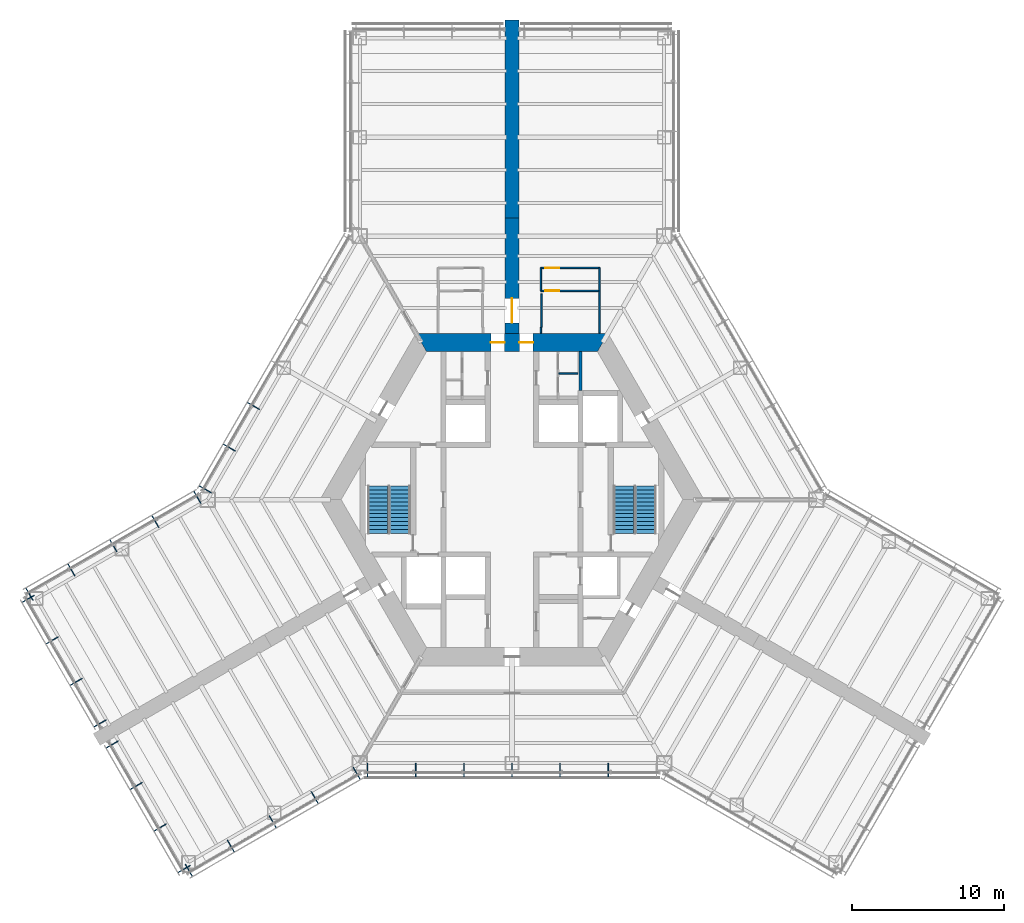
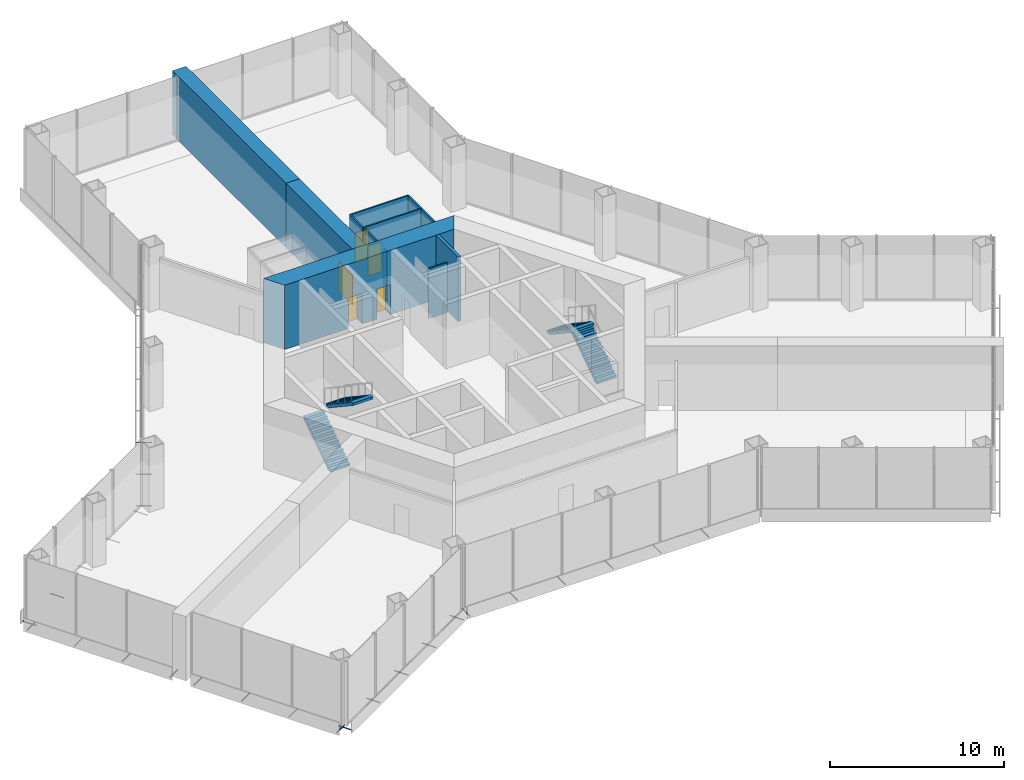
# One storey, part 11 of 13: 27 discrete accessories, 12 walls, 5 doors, 4 stair flights, 5 openings, 2 elements without a shape of their own.
"""IFC4 building model written with IfcOpenShell, lengths in metres."""

from ifc_helpers import new_model, si_unit, direction, frame, frame_2d, origin, origin_2d, place, context, subcontext, project, spatial, polyline, rectangle, hollow_circle, outline, extrude, material, layer, layer_set, material_profile, profile_set, type_object, element, fill, aggregate, save


model = new_model("IFC4")

# Units and contexts
model_context = context("Model", 3, precision=1e-05, world=origin(), true_north=direction((0.0, 1.0)))
body_context = subcontext(model_context, "Body", "Model", "MODEL_VIEW")
ifc_project = project(units=[si_unit("LENGTHUNIT", "METRE"), si_unit("AREAUNIT", "SQUARE_METRE"), si_unit("VOLUMEUNIT", "CUBIC_METRE"), si_unit("PLANEANGLEUNIT", "RADIAN"), si_unit("MASSUNIT", "GRAM", prefix="KILO")], contexts=[model_context])

# Site, building, storey
site_placement = place(None, origin())
site = spatial("IfcSite", under=ifc_project, at=site_placement, CompositionType="ELEMENT")
building_placement = place(site_placement, origin())
building = spatial("IfcBuilding", under=site, at=building_placement, Name="Kasaneha Research Tower", CompositionType="ELEMENT")
storey_placement = place(building_placement, frame((0.0, 0.0, 5.5)))
storey = spatial("IfcBuildingStorey", under=building, at=storey_placement, Name="L02", CompositionType="ELEMENT", Elevation=5.5)

# Wall, openings, doors
ifc_material_1 = material(Name="Concrete Fc100", Category="concrete")
ifc_layer_1 = layer(ifc_material_1, 1.199951171875)
ifc_layer_set_1 = layer_set([ifc_layer_1], Name="Core wall 1200 Fc100")
wall_type_1 = type_object("IfcWallType", Name="Core wall 1200 Fc100", PredefinedType="SHEAR", material=ifc_layer_set_1)
wall_1_placement = place(storey_placement, frame((5.961181640625, 10.324951171875, 0.0), z_axis=(0.0, 0.0, 1.0), x_axis=(-1.0, 0.0, 0.0)))
wall_1 = element("IfcWall", 1, at=wall_1_placement, inside=storey, type_object=wall_type_1, Name="Core wall 090 L02", PredefinedType="SHEAR", context=body_context, shape_type="SweptSolid", body=[
    extrude(outline(polyline([(-0.346435546875, -0.60009765625), (4.57373046875, -0.60009765625), (5.4736328125, -0.60009765625), (6.44873046875, -0.60009765625), (7.3486328125, -0.60009765625), (12.268798828125, -0.60009765625), (11.575927734375, 0.60009765625), (7.3486328125, 0.60009765625), (6.44873046875, 0.60009765625), (5.4736328125, 0.60009765625), (4.57373046875, 0.60009765625), (0.346435546875, 0.60009765625), (-0.346435546875, -0.60009765625)])), origin(), (0.0, 0.0, 1.0), 4.5),
])
opening_1_placement = place(wall_1_placement, frame((6.44873046875, 0.0, 0.0)))
opening_1 = element("IfcOpeningElement", 2, at=opening_1_placement, cuts=wall_1, Name="Opening L02-D01", PredefinedType="OPENING", context=body_context, shape_type="SweptSolid", body=[
    extrude(rectangle(XDim=0.89990234375, YDim=2.10009765625, at=frame_2d((0.449951171875, 1.050048828125))), frame((0.0, 0.60986328125, 0.0), z_axis=(0.0, -1.0, 0.0), x_axis=(1.0, 0.0, 0.0)), (0.0, 0.0, 1.0), 1.219970703125),
])
opening_2_placement = place(wall_1_placement, frame((4.57373046875, 0.0, 0.0)))
opening_2 = element("IfcOpeningElement", 3, at=opening_2_placement, cuts=wall_1, Name="Opening L02-D02", PredefinedType="OPENING", context=body_context, shape_type="SweptSolid", body=[
    extrude(rectangle(XDim=0.89990234375, YDim=2.10009765625, at=frame_2d((0.449951171875, 1.050048828125))), frame((0.0, 0.60986328125, 0.0), z_axis=(0.0, -1.0, 0.0), x_axis=(1.0, 0.0, 0.0)), (0.0, 0.0, 1.0), 1.219970703125),
])
ifc_material_2 = material(Name="Steel", Category="steel")
door_type_1 = type_object("IfcDoorType", Name="Toilet door FD20 900x2100", OperationType="NOTDEFINED", PredefinedType="DOOR", material=ifc_material_2)
door_1_placement = place(opening_1_placement, origin())
door_1 = element("IfcDoor", 4, at=door_1_placement, inside=storey, type_object=door_type_1, Name="Core door north 1 L02-D01", OperationType="SINGLE_SWING_RIGHT", OverallHeight=2.10009765625, OverallWidth=0.89990234375, PredefinedType="DOOR", context=body_context, shape_type="SweptSolid", body=[
    extrude(rectangle(XDim=0.89990234375, YDim=2.10009765625, at=frame_2d((0.449951171875, 1.050048828125))), frame((0.0, 0.02490234375, 0.0), z_axis=(0.0, -1.0, 0.0), x_axis=(1.0, 0.0, 0.0)), (0.0, 0.0, 1.0), 0.050048828125),
])
fill(opening_1, door_1)
door_2_placement = place(opening_2_placement, origin())
door_2 = element("IfcDoor", 5, at=door_2_placement, inside=storey, type_object=door_type_1, Name="Core door north 2 L02-D02", OperationType="SINGLE_SWING_LEFT", OverallHeight=2.10009765625, OverallWidth=0.89990234375, PredefinedType="DOOR", context=body_context, shape_type="SweptSolid", body=[
    extrude(rectangle(XDim=0.89990234375, YDim=2.10009765625, at=frame_2d((0.449951171875, 1.050048828125))), frame((0.0, 0.02490234375, 0.0), z_axis=(0.0, -1.0, 0.0), x_axis=(1.0, 0.0, 0.0)), (0.0, 0.0, 1.0), 0.050048828125),
])
fill(opening_2, door_2)

# Wall
ifc_material_3 = material(Name="Gypsum board on steel studs, one layer each side", Category="steel")
ifc_layer_2 = layer(ifc_material_3, 0.10009765625)
ifc_layer_set_2 = layer_set([ifc_layer_2], Name="Office partition 100")
wall_type_2 = type_object("IfcWallType", Name="Office partition 100", PredefinedType="PARTITIONING", material=ifc_layer_set_2)
wall_2_placement = place(storey_placement, frame((3.074951171875, 8.304931640625, 0.0), z_axis=(0.0, 0.0, 1.0), x_axis=(1.0, 0.0, 0.0)))
element("IfcWall", 6, at=wall_2_placement, inside=storey, type_object=wall_type_2, Name="Office partition TBF2 L02", PredefinedType="PARTITIONING", context=body_context, shape_type="SweptSolid", body=[
    extrude(rectangle(XDim=1.25, YDim=0.10009765625, at=frame_2d((0.625, 0.0))), origin(), (0.0, 0.0, 1.0), 3.5),
])

# Wall, opening, door
wall_3_placement = place(storey_placement, frame((1.89990234375, 13.719970703125, 0.0), z_axis=(0.0, 0.0, 1.0), x_axis=(1.0, 0.0, 0.0)))
wall_3 = element("IfcWall", 7, at=wall_3_placement, inside=storey, type_object=wall_type_2, Name="Office partition FAE01 L02", PredefinedType="PARTITIONING", context=body_context, shape_type="SweptSolid", body=[
    extrude(rectangle(XDim=3.857177734375, YDim=0.10009765625, at=frame_2d((1.9287109375, 0.0))), origin(), (0.0, 0.0, 1.0), 3.5),
])
opening_3_placement = place(wall_3_placement, frame((0.300048828125, 0.0, 0.0)))
opening_3 = element("IfcOpeningElement", 8, at=opening_3_placement, cuts=wall_3, Name="Opening L02-D28", PredefinedType="OPENING", context=body_context, shape_type="SweptSolid", body=[
    extrude(rectangle(XDim=0.89990234375, YDim=2.10009765625, at=frame_2d((0.449951171875, 1.050048828125))), frame((0.0, 0.06005859375, 0.0), z_axis=(0.0, -1.0, 0.0), x_axis=(1.0, 0.0, 0.0)), (0.0, 0.0, 1.0), 0.1201171875),
])
ifc_material_4 = material(Name="Steel", Category="steel")
door_type_2 = type_object("IfcDoorType", Name="Toilet lobby door FD30 900x2100", OperationType="NOTDEFINED", PredefinedType="DOOR", material=ifc_material_4)
door_3_placement = place(opening_3_placement, origin())
door_3 = element("IfcDoor", 9, at=door_3_placement, inside=storey, type_object=door_type_2, Name="Women's WC door L02-D28", OperationType="SINGLE_SWING_LEFT", OverallHeight=2.10009765625, OverallWidth=0.89990234375, PredefinedType="DOOR", context=body_context, shape_type="SweptSolid", body=[
    extrude(rectangle(XDim=0.89990234375, YDim=2.10009765625, at=frame_2d((0.449951171875, 1.050048828125))), frame((0.0, 0.02490234375, 0.0), z_axis=(0.0, -1.0, 0.0), x_axis=(1.0, 0.0, 0.0)), (0.0, 0.0, 1.0), 0.050048828125),
])
fill(opening_3, door_3)

# Walls
wall_4_placement = place(storey_placement, frame((1.89990234375, 10.945068359375, 0.0), z_axis=(0.0, 0.0, 1.0), x_axis=(0.0, 1.0, 0.0)))
element("IfcWall", 10, at=wall_4_placement, inside=storey, type_object=wall_type_2, Name="Office partition FAE02 L02", PredefinedType="PARTITIONING", context=body_context, shape_type="SweptSolid", body=[
    extrude(rectangle(XDim=0.3798828125, YDim=0.10009765625, at=frame_2d((0.18994140625, 0.0))), origin(), (0.0, 0.0, 1.0), 3.5),
])
wall_5_placement = place(storey_placement, frame((1.949951171875, 11.324951171875, 0.0), z_axis=(0.0, 0.0, 1.0), x_axis=(0.0, 1.0, 0.0)))
element("IfcWall", 11, at=wall_5_placement, inside=storey, type_object=wall_type_2, Name="Office partition FAE03 L02", PredefinedType="PARTITIONING", context=body_context, shape_type="SweptSolid", body=[
    extrude(rectangle(XDim=2.199951171875, YDim=0.10009765625, at=frame_2d((1.10009765625, 0.0))), origin(), (0.0, 0.0, 1.0), 3.5),
])
wall_6_placement = place(storey_placement, frame((5.752197265625, 13.72509765625, 0.0), z_axis=(0.0, 0.0, 1.0), x_axis=(0.001756386155, -0.999998457553, 0.0)))
element("IfcWall", 12, at=wall_6_placement, inside=storey, type_object=wall_type_2, Name="Office partition FAE04 L02", PredefinedType="PARTITIONING", context=body_context, shape_type="SweptSolid", body=[
    extrude(rectangle(XDim=2.780029296875, YDim=0.10009765625, at=frame_2d((1.39013671875, 0.0))), origin(), (0.0, 0.0, 1.0), 3.5),
])

# Wall, opening, door
wall_7_placement = place(storey_placement, frame((1.89990234375, 15.22509765625, 0.0), z_axis=(0.0, 0.0, 1.0), x_axis=(1.0, 0.0, 0.0)))
wall_7 = element("IfcWall", 13, at=wall_7_placement, inside=storey, type_object=wall_type_2, Name="Office partition FAE05 L02", PredefinedType="PARTITIONING", context=body_context, shape_type="SweptSolid", body=[
    extrude(rectangle(XDim=3.857177734375, YDim=0.10009765625, at=frame_2d((1.9287109375, 0.0))), origin(), (0.0, 0.0, 1.0), 3.5),
])
opening_4_placement = place(wall_7_placement, frame((0.300048828125, 0.0, 0.0)))
opening_4 = element("IfcOpeningElement", 14, at=opening_4_placement, cuts=wall_7, Name="Opening L02-D29", PredefinedType="OPENING", context=body_context, shape_type="SweptSolid", body=[
    extrude(rectangle(XDim=0.89990234375, YDim=2.10009765625, at=frame_2d((0.449951171875, 1.050048828125))), frame((0.0, 0.06005859375, 0.0), z_axis=(0.0, -1.0, 0.0), x_axis=(1.0, 0.0, 0.0)), (0.0, 0.0, 1.0), 0.1201171875),
])
door_4_placement = place(opening_4_placement, origin())
door_4 = element("IfcDoor", 15, at=door_4_placement, inside=storey, type_object=door_type_2, Name="Toilet lobby door L02-D29", OperationType="SINGLE_SWING_LEFT", OverallHeight=2.10009765625, OverallWidth=0.89990234375, PredefinedType="DOOR", context=body_context, shape_type="SweptSolid", body=[
    extrude(rectangle(XDim=0.89990234375, YDim=2.10009765625, at=frame_2d((0.449951171875, 1.050048828125))), frame((0.0, 0.02490234375, 0.0), z_axis=(0.0, -1.0, 0.0), x_axis=(1.0, 0.0, 0.0)), (0.0, 0.0, 1.0), 0.050048828125),
])
fill(opening_4, door_4)

# Walls
for number, where, z_axis, x_axis, name in (
    (16, (1.904541015625, 13.72509765625, 0.0), (0.0, 0.0, 1.0), (-0.00309243313, 0.999995218417, 0.0), "Office partition FAE06 L02"),
    (17, (5.757080078125, 15.22509765625, 0.0), (0.0, 0.0, 1.0), (-0.003255191087, -0.999994701851, 0.0), "Office partition FAE07 L02"),
):
    element("IfcWall", number, at=place(storey_placement, frame(where, z_axis=z_axis, x_axis=x_axis)), inside=storey, type_object=wall_type_2, Name=name, PredefinedType="PARTITIONING", context=body_context, shape_type="SweptSolid", body=[
        extrude(rectangle(XDim=1.5, YDim=0.10009765625, at=frame_2d((0.75, 0.0))), origin(), (0.0, 0.0, 1.0), 3.5),
    ])
ifc_material_5 = material(Name="Concrete block", Category="concrete")
ifc_layer_3 = layer(ifc_material_5, 0.199951171875)
ifc_layer_set_3 = layer_set([ifc_layer_3], Name="Riser enclosure wall 200")
wall_type_3 = type_object("IfcWallType", Name="Riser enclosure wall 200", PredefinedType="STANDARD", material=ifc_layer_set_3)
wall_8_placement = place(storey_placement, frame((4.5, 7.175048828125, 0.0), z_axis=(0.0, 0.0, 1.0), x_axis=(0.0, 1.0, 0.0)))
element("IfcWall", 18, at=wall_8_placement, inside=storey, type_object=wall_type_3, Name="Riser enclosure wall L02", PredefinedType="STANDARD", context=body_context, shape_type="SweptSolid", body=[
    extrude(rectangle(XDim=2.550048828125, YDim=0.199951171875, at=frame_2d((1.27490234375, 0.0))), origin(), (0.0, 0.0, 1.0), 4.5),
])

# Wall, opening, door
ifc_material_6 = material(Name="Concrete Fc100", Category="concrete")
ifc_layer_4 = layer(ifc_material_6, 0.89990234375)
ifc_layer_set_4 = layer_set([ifc_layer_4], Name="Spine wall 900 Fc100")
wall_type_4 = type_object("IfcWallType", Name="Spine wall 900 Fc100", PredefinedType="SHEAR", material=ifc_layer_set_4)
wall_9_placement = place(storey_placement, frame((0.0, 10.925048828125, 0.0), z_axis=(0.0, 0.0, 1.0), x_axis=(0.0, 1.0, 0.0)))
wall_9 = element("IfcWall", 19, at=wall_9_placement, inside=storey, type_object=wall_type_4, Name="Spine wall A L02", PredefinedType="SHEAR", context=body_context, shape_type="SweptSolid", body=[
    extrude(rectangle(XDim=7.595458984375, YDim=0.89990234375, at=frame_2d((3.7978515625, 0.0))), origin(), (0.0, 0.0, 1.0), 4.5),
])
opening_5_placement = place(wall_9_placement, frame((0.699951171875, 0.0, 0.0)))
opening_5 = element("IfcOpeningElement", 20, at=opening_5_placement, cuts=wall_9, Name="Opening L02-D17", PredefinedType="OPENING", context=body_context, shape_type="SweptSolid", body=[
    extrude(rectangle(XDim=1.60009765625, YDim=2.10009765625, at=frame_2d((0.800048828125, 1.050048828125))), frame((0.0, 0.4599609375, 0.0), z_axis=(0.0, -1.0, 0.0), x_axis=(1.0, 0.0, 0.0)), (0.0, 0.0, 1.0), 0.919921875),
])
ifc_material_7 = material(Name="Steel", Category="steel")
door_type_3 = type_object("IfcDoorType", Name="Lecture hall door FD60 1600x2100", OperationType="DOUBLE_DOOR_SINGLE_SWING", PredefinedType="DOOR", material=ifc_material_7)
door_5_placement = place(opening_5_placement, origin())
door_5 = element("IfcDoor", 21, at=door_5_placement, inside=storey, type_object=door_type_3, Name="Lecture hall door L02-D17", OperationType="DOUBLE_DOOR_SINGLE_SWING", OverallHeight=2.10009765625, OverallWidth=1.60009765625, PredefinedType="DOOR", context=body_context, shape_type="SweptSolid", body=[
    extrude(rectangle(XDim=1.60009765625, YDim=2.10009765625, at=frame_2d((0.800048828125, 1.050048828125))), frame((0.0, 0.02490234375, 0.0), z_axis=(0.0, -1.0, 0.0), x_axis=(1.0, 0.0, 0.0)), (0.0, 0.0, 1.0), 0.050048828125),
])
fill(opening_5, door_5)

# Wall
wall_10_placement = place(storey_placement, frame((0.0, 18.5205078125, 0.0), z_axis=(0.0, 0.0, 1.0), x_axis=(0.0, 1.0, 0.0)))
element("IfcWall", 22, at=wall_10_placement, inside=storey, type_object=wall_type_4, Name="Spine wall A wing L02", PredefinedType="SHEAR", context=body_context, shape_type="SweptSolid", body=[
    extrude(rectangle(XDim=13.0, YDim=0.89990234375, at=frame_2d((6.5, 0.0))), origin(), (0.0, 0.0, 1.0), 4.5),
])

# Stair, stair flights
ifc_material_8 = material(Name="Concrete Fc24", Category="concrete")
stair_type = type_object("IfcStairType", Name="Half-turn stair 26 risers", PredefinedType="HALF_TURN_STAIR", material=ifc_material_8)
stair_1_placement = place(storey_placement, origin())
stair_1 = element("IfcStair", 23, at=stair_1_placement, inside=storey, type_object=stair_type, Name="Stair 1 L02", PredefinedType="HALF_TURN_STAIR")
ifc_material_9 = material(Name="Concrete Fc24", Category="concrete")
stair_flight_type = type_object("IfcStairFlightType", Name="Stair flight 13 risers 173.1", PredefinedType="STRAIGHT", material=ifc_material_9)
stair_flight_1_placement = place(storey_placement, frame((8.824951171875, -2.22509765625, 0.0), z_axis=(0.0, 0.0, 1.0), x_axis=(0.0, 1.0, 0.0)))
stair_flight_1 = element("IfcStairFlight", 24, at=stair_flight_1_placement, type_object=stair_flight_type, Name="ST1-26R flight 1", NumberOfRisers=13, NumberOfTreads=12, PredefinedType="STRAIGHT", RiserHeight=0.173076923, TreadLength=0.26, context=body_context, shape_type="SweptSolid", body=[
    extrude(outline(polyline([(0.0, 0.0), (0.0, 0.173095703125), (0.260009765625, 0.173095703125), (0.260009765625, 0.34619140625), (0.52001953125, 0.34619140625), (0.52001953125, 0.519287109375), (0.780029296875, 0.519287109375), (0.780029296875, 0.6923828125), (1.0400390625, 0.6923828125), (1.0400390625, 0.865478515625), (1.300048828125, 0.865478515625), (1.300048828125, 1.03857421875), (1.56005859375, 1.03857421875), (1.56005859375, 1.21142578125), (1.820068359375, 1.21142578125), (1.820068359375, 1.384521484375), (2.080078125, 1.384521484375), (2.080078125, 1.5576171875), (2.340087890625, 1.5576171875), (2.340087890625, 1.730712890625), (2.60009765625, 1.730712890625), (2.60009765625, 1.90380859375), (2.860107421875, 1.90380859375), (2.860107421875, 2.076904296875), (3.1201171875, 2.076904296875), (3.1201171875, 2.25), (3.1201171875, 1.896728515625), (0.2705078125, 0.0), (0.0, 0.0)])), frame((0.0, 0.64990234375, 0.0), z_axis=(0.0, -1.0, 0.0), x_axis=(1.0, 0.0, 0.0)), (0.0, 0.0, 1.0), 1.300048828125),
])
stair_flight_2_placement = place(storey_placement, frame((7.324951171875, 0.89501953125, 2.25), z_axis=(0.0, 0.0, 1.0), x_axis=(0.0, -1.0, 0.0)))
stair_flight_2 = element("IfcStairFlight", 25, at=stair_flight_2_placement, type_object=stair_flight_type, Name="ST1-26R flight 2", NumberOfRisers=13, NumberOfTreads=12, PredefinedType="STRAIGHT", RiserHeight=0.173076923, TreadLength=0.26, context=body_context, shape_type="SweptSolid", body=[
    extrude(outline(polyline([(0.0, 0.0), (0.0, 0.173095703125), (0.260009765625, 0.173095703125), (0.260009765625, 0.34619140625), (0.52001953125, 0.34619140625), (0.52001953125, 0.519287109375), (0.780029296875, 0.519287109375), (0.780029296875, 0.6923828125), (1.0400390625, 0.6923828125), (1.0400390625, 0.865478515625), (1.300048828125, 0.865478515625), (1.300048828125, 1.03857421875), (1.56005859375, 1.03857421875), (1.56005859375, 1.21142578125), (1.820068359375, 1.21142578125), (1.820068359375, 1.384521484375), (2.080078125, 1.384521484375), (2.080078125, 1.5576171875), (2.340087890625, 1.5576171875), (2.340087890625, 1.730712890625), (2.60009765625, 1.730712890625), (2.60009765625, 1.90380859375), (2.860107421875, 1.90380859375), (2.860107421875, 2.076904296875), (3.1201171875, 2.076904296875), (3.1201171875, 2.25), (3.1201171875, 1.896728515625), (0.2705078125, 0.0), (0.0, 0.0)])), frame((0.0, 0.64990234375, 0.0), z_axis=(0.0, -1.0, 0.0), x_axis=(1.0, 0.0, 0.0)), (0.0, 0.0, 1.0), 1.300048828125),
])
aggregate(stair_1, [stair_flight_1, stair_flight_2])

stair_2_placement = place(storey_placement, origin())
stair_2 = element("IfcStair", 26, at=stair_2_placement, inside=storey, type_object=stair_type, Name="Stair 2 L02", PredefinedType="HALF_TURN_STAIR")
stair_flight_3_placement = place(storey_placement, frame((-8.824951171875, -2.22509765625, 0.0), z_axis=(0.0, 0.0, 1.0), x_axis=(0.0, 1.0, 0.0)))
stair_flight_3 = element("IfcStairFlight", 27, at=stair_flight_3_placement, type_object=stair_flight_type, Name="ST2-26R flight 1", NumberOfRisers=13, NumberOfTreads=12, PredefinedType="STRAIGHT", RiserHeight=0.173076923, TreadLength=0.26, context=body_context, shape_type="SweptSolid", body=[
    extrude(outline(polyline([(0.0, 0.0), (0.0, 0.173095703125), (0.260009765625, 0.173095703125), (0.260009765625, 0.34619140625), (0.52001953125, 0.34619140625), (0.52001953125, 0.519287109375), (0.780029296875, 0.519287109375), (0.780029296875, 0.6923828125), (1.0400390625, 0.6923828125), (1.0400390625, 0.865478515625), (1.300048828125, 0.865478515625), (1.300048828125, 1.03857421875), (1.56005859375, 1.03857421875), (1.56005859375, 1.21142578125), (1.820068359375, 1.21142578125), (1.820068359375, 1.384521484375), (2.080078125, 1.384521484375), (2.080078125, 1.5576171875), (2.340087890625, 1.5576171875), (2.340087890625, 1.730712890625), (2.60009765625, 1.730712890625), (2.60009765625, 1.90380859375), (2.860107421875, 1.90380859375), (2.860107421875, 2.076904296875), (3.1201171875, 2.076904296875), (3.1201171875, 2.25), (3.1201171875, 1.896728515625), (0.2705078125, 0.0), (0.0, 0.0)])), frame((0.0, 0.64990234375, 0.0), z_axis=(0.0, -1.0, 0.0), x_axis=(1.0, 0.0, 0.0)), (0.0, 0.0, 1.0), 1.300048828125),
])
stair_flight_4_placement = place(storey_placement, frame((-7.324951171875, 0.89501953125, 2.25), z_axis=(0.0, 0.0, 1.0), x_axis=(0.0, -1.0, 0.0)))
stair_flight_4 = element("IfcStairFlight", 28, at=stair_flight_4_placement, type_object=stair_flight_type, Name="ST2-26R flight 2", NumberOfRisers=13, NumberOfTreads=12, PredefinedType="STRAIGHT", RiserHeight=0.173076923, TreadLength=0.26, context=body_context, shape_type="SweptSolid", body=[
    extrude(outline(polyline([(0.0, 0.0), (0.0, 0.173095703125), (0.260009765625, 0.173095703125), (0.260009765625, 0.34619140625), (0.52001953125, 0.34619140625), (0.52001953125, 0.519287109375), (0.780029296875, 0.519287109375), (0.780029296875, 0.6923828125), (1.0400390625, 0.6923828125), (1.0400390625, 0.865478515625), (1.300048828125, 0.865478515625), (1.300048828125, 1.03857421875), (1.56005859375, 1.03857421875), (1.56005859375, 1.21142578125), (1.820068359375, 1.21142578125), (1.820068359375, 1.384521484375), (2.080078125, 1.384521484375), (2.080078125, 1.5576171875), (2.340087890625, 1.5576171875), (2.340087890625, 1.730712890625), (2.60009765625, 1.730712890625), (2.60009765625, 1.90380859375), (2.860107421875, 1.90380859375), (2.860107421875, 2.076904296875), (3.1201171875, 2.076904296875), (3.1201171875, 2.25), (3.1201171875, 1.896728515625), (0.2705078125, 0.0), (0.0, 0.0)])), frame((0.0, 0.64990234375, 0.0), z_axis=(0.0, -1.0, 0.0), x_axis=(1.0, 0.0, 0.0)), (0.0, 0.0, 1.0), 1.300048828125),
])
aggregate(stair_2, [stair_flight_3, stair_flight_4])

# Discrete accessories
ifc_material_10 = material(Name="Steel STK400", Category="steel")
ifc_material_profile = material_profile(ifc_material_10, hollow_circle(Radius=0.0380859375, WallThickness=0.00390625, at=origin_2d()), Name="CHS-76.3x4.0")
ifc_profile_set = profile_set([ifc_material_profile], Name="Steel STK400")
discrete_accessory_type = type_object("IfcDiscreteAccessoryType", Name="Screen bracket CHS-76.3x4.0", PredefinedType="BRACKET", material=ifc_profile_set)
discrete_accessory_1_placement = place(storey_placement, frame((-21.474853515625, -23.945556640625, -0.35009765625), z_axis=(0.500021113727, -0.866013213425, 0.0), x_axis=(0.866013213425, 0.500021113727, 0.0)))
element("IfcDiscreteAccessory", 29, at=discrete_accessory_1_placement, inside=storey, type_object=discrete_accessory_type, Name="Screen bracket 1", PredefinedType="BRACKET", context=body_context, shape_type="SweptSolid", body=[
    extrude(hollow_circle(Radius=0.0380859375, WallThickness=0.00390625, at=origin_2d()), origin(), (0.0, 0.0, 1.0), 0.919921875),
])
discrete_accessory_2_placement = place(storey_placement, frame((-18.716796875, -22.35302734375, -0.35009765625), z_axis=(0.500105201737, -0.865964657013, 0.0), x_axis=(0.865964657013, 0.500105201737, 0.0)))
element("IfcDiscreteAccessory", 30, at=discrete_accessory_2_placement, inside=storey, type_object=discrete_accessory_type, Name="Screen bracket 2", PredefinedType="BRACKET", context=body_context, shape_type="SweptSolid", body=[
    extrude(hollow_circle(Radius=0.0380859375, WallThickness=0.00390625, at=origin_2d()), origin(), (0.0, 0.0, 1.0), 0.920166015625),
])
discrete_accessory_3_placement = place(storey_placement, frame((-15.95849609375, -20.7607421875, -0.35009765625), z_axis=(0.500021113727, -0.866013213425, 0.0), x_axis=(0.866013213425, 0.500021113727, 0.0)))
element("IfcDiscreteAccessory", 31, at=discrete_accessory_3_placement, inside=storey, type_object=discrete_accessory_type, Name="Screen bracket 3", PredefinedType="BRACKET", context=body_context, shape_type="SweptSolid", body=[
    extrude(hollow_circle(Radius=0.0380859375, WallThickness=0.00390625, at=origin_2d()), origin(), (0.0, 0.0, 1.0), 0.919921875),
])
discrete_accessory_4_placement = place(storey_placement, frame((-13.200439453125, -19.168212890625, -0.35009765625), z_axis=(0.499906209203, -0.866079547155, 0.0), x_axis=(0.866079547155, 0.499906209203, 0.0)))
element("IfcDiscreteAccessory", 32, at=discrete_accessory_4_placement, inside=storey, type_object=discrete_accessory_type, Name="Screen bracket 4", PredefinedType="BRACKET", context=body_context, shape_type="SweptSolid", body=[
    extrude(hollow_circle(Radius=0.0380859375, WallThickness=0.00390625, at=origin_2d()), origin(), (0.0, 0.0, 1.0), 0.920166015625),
])
for number, where, z_axis, x_axis, name in (
    (33, (-10.4423828125, -17.575927734375, -0.35009765625), (0.500021113727, -0.866013213425, 0.0), (0.866013213425, 0.500021113727, 0.0), "Screen bracket 5"),
    (34, (-9.4892578125, -17.320556640625, -0.35009765625), (0.0, -1.0, 0.0), (1.0, 0.0, 0.0), "Screen bracket 1"),
    (35, (-6.326171875, -17.320556640625, -0.35009765625), (0.0, -1.0, 0.0), (1.0, 0.0, 0.0), "Screen bracket 2"),
    (36, (-3.1630859375, -17.320556640625, -0.35009765625), (0.0, -1.0, 0.0), (1.0, 0.0, 0.0), "Screen bracket 3"),
    (37, (0.0, -17.320556640625, -0.35009765625), (0.0, -1.0, 0.0), (1.0, 0.0, 0.0), "Screen bracket 4"),
    (38, (3.1630859375, -17.320556640625, -0.35009765625), (0.0, -1.0, 0.0), (1.0, 0.0, 0.0), "Screen bracket 5"),
    (39, (6.326171875, -17.320556640625, -0.35009765625), (0.0, -1.0, 0.0), (1.0, 0.0, 0.0), "Screen bracket 6"),
    (40, (-16.58154296875, 5.9208984375, -0.35009765625), (-0.866013213425, 0.500021113727, 0.0), (-0.500021113727, -0.866013213425, 0.0), "Screen bracket 5"),
    (41, (-18.1630859375, 3.181640625, -0.35009765625), (-0.866013213425, 0.500021113727, 0.0), (-0.500021113727, -0.866013213425, 0.0), "Screen bracket 6"),
    (42, (-19.74462890625, 0.4423828125, -0.35009765625), (-0.866013213425, 0.500021113727, 0.0), (-0.500021113727, -0.866013213425, 0.0), "Screen bracket 7"),
    (43, (-20.4423828125, -0.25537109375, -0.35009765625), (-0.500021113727, 0.866013213425, 0.0), (-0.866013213425, -0.500021113727, 0.0), "Screen bracket 1"),
):
    element("IfcDiscreteAccessory", number, at=place(storey_placement, frame(where, z_axis=z_axis, x_axis=x_axis)), inside=storey, type_object=discrete_accessory_type, Name=name, PredefinedType="BRACKET", context=body_context, shape_type="SweptSolid", body=[
        extrude(hollow_circle(Radius=0.0380859375, WallThickness=0.00390625, at=origin_2d()), origin(), (0.0, 0.0, 1.0), 0.919921875),
    ])
discrete_accessory_5_placement = place(storey_placement, frame((-23.200439453125, -1.847900390625, -0.35009765625), z_axis=(-0.499906209203, 0.866079547155, 0.0), x_axis=(-0.866079547155, -0.499906209203, 0.0)))
element("IfcDiscreteAccessory", 44, at=discrete_accessory_5_placement, inside=storey, type_object=discrete_accessory_type, Name="Screen bracket 2", PredefinedType="BRACKET", context=body_context, shape_type="SweptSolid", body=[
    extrude(hollow_circle(Radius=0.0380859375, WallThickness=0.00390625, at=origin_2d()), origin(), (0.0, 0.0, 1.0), 0.920166015625),
])
discrete_accessory_6_placement = place(storey_placement, frame((-25.95849609375, -3.440185546875, -0.35009765625), z_axis=(-0.500220121494, 0.865898279276, 0.0), x_axis=(-0.865898279276, -0.500220121494, 0.0)))
element("IfcDiscreteAccessory", 45, at=discrete_accessory_6_placement, inside=storey, type_object=discrete_accessory_type, Name="Screen bracket 3", PredefinedType="BRACKET", context=body_context, shape_type="SweptSolid", body=[
    extrude(hollow_circle(Radius=0.0380859375, WallThickness=0.00390625, at=origin_2d()), origin(), (0.0, 0.0, 1.0), 0.919921875),
])
discrete_accessory_7_placement = place(storey_placement, frame((-28.716796875, -5.03271484375, -0.35009765625), z_axis=(-0.499906209203, 0.866079547155, 0.0), x_axis=(-0.866079547155, -0.499906209203, 0.0)))
element("IfcDiscreteAccessory", 46, at=discrete_accessory_7_placement, inside=storey, type_object=discrete_accessory_type, Name="Screen bracket 4", PredefinedType="BRACKET", context=body_context, shape_type="SweptSolid", body=[
    extrude(hollow_circle(Radius=0.0380859375, WallThickness=0.00390625, at=origin_2d()), origin(), (0.0, 0.0, 1.0), 0.920166015625),
])
discrete_accessory_8_placement = place(storey_placement, frame((-31.474853515625, -6.625, -0.35009765625), z_axis=(-0.500021113727, 0.866013213425, 0.0), x_axis=(-0.866013213425, -0.500021113727, 0.0)))
element("IfcDiscreteAccessory", 47, at=discrete_accessory_8_placement, inside=storey, type_object=discrete_accessory_type, Name="Screen bracket 5", PredefinedType="BRACKET", context=body_context, shape_type="SweptSolid", body=[
    extrude(hollow_circle(Radius=0.0380859375, WallThickness=0.00390625, at=origin_2d()), origin(), (0.0, 0.0, 1.0), 0.919921875),
])
discrete_accessory_9_placement = place(storey_placement, frame((-31.38330078125, -6.283447265625, -0.35009765625), z_axis=(-0.866079547155, -0.499906209203, 0.0), x_axis=(0.499906209203, -0.866079547155, 0.0)))
element("IfcDiscreteAccessory", 48, at=discrete_accessory_9_placement, inside=storey, type_object=discrete_accessory_type, Name="Screen bracket 1", PredefinedType="BRACKET", context=body_context, shape_type="SweptSolid", body=[
    extrude(hollow_circle(Radius=0.0380859375, WallThickness=0.00390625, at=origin_2d()), origin(), (0.0, 0.0, 1.0), 0.920166015625),
])
for number, where, z_axis, x_axis, name in (
    (49, (-29.808349609375, -9.011474609375, -0.35009765625), (-0.866013213425, -0.500021113727, 0.0), (0.500021113727, -0.866013213425, 0.0), "Screen bracket 2"),
    (50, (-28.2333984375, -11.739501953125, -0.35009765625), (-0.866013213425, -0.500021113727, 0.0), (0.500021113727, -0.866013213425, 0.0), "Screen bracket 3"),
    (51, (-26.658447265625, -14.467529296875, -0.35009765625), (-0.866013213425, -0.500021113727, 0.0), (0.500021113727, -0.866013213425, 0.0), "Screen bracket 4"),
    (52, (-25.8583984375, -15.85302734375, -0.35009765625), (-0.866013213425, -0.500021113727, 0.0), (0.500021113727, -0.866013213425, 0.0), "Screen bracket 1"),
    (53, (-24.283447265625, -18.5810546875, -0.35009765625), (-0.866013213425, -0.500021113727, 0.0), (0.500021113727, -0.866013213425, 0.0), "Screen bracket 2"),
):
    element("IfcDiscreteAccessory", number, at=place(storey_placement, frame(where, z_axis=z_axis, x_axis=x_axis)), inside=storey, type_object=discrete_accessory_type, Name=name, PredefinedType="BRACKET", context=body_context, shape_type="SweptSolid", body=[
        extrude(hollow_circle(Radius=0.0380859375, WallThickness=0.00390625, at=origin_2d()), origin(), (0.0, 0.0, 1.0), 0.919921875),
    ])
for number, where, z_axis, x_axis, name in (
    (54, (-22.708251953125, -21.30908203125, -0.35009765625), (-0.866079547155, -0.499906209203, 0.0), (0.499906209203, -0.866079547155, 0.0), "Screen bracket 3"),
    (55, (-21.13330078125, -24.037109375, -0.35009765625), (-0.866079547155, -0.499906209203, 0.0), (0.499906209203, -0.866079547155, 0.0), "Screen bracket 4"),
):
    element("IfcDiscreteAccessory", number, at=place(storey_placement, frame(where, z_axis=z_axis, x_axis=x_axis)), inside=storey, type_object=discrete_accessory_type, Name=name, PredefinedType="BRACKET", context=body_context, shape_type="SweptSolid", body=[
        extrude(hollow_circle(Radius=0.0380859375, WallThickness=0.00390625, at=origin_2d()), origin(), (0.0, 0.0, 1.0), 0.920166015625),
    ])

save(model, "model.ifc")
